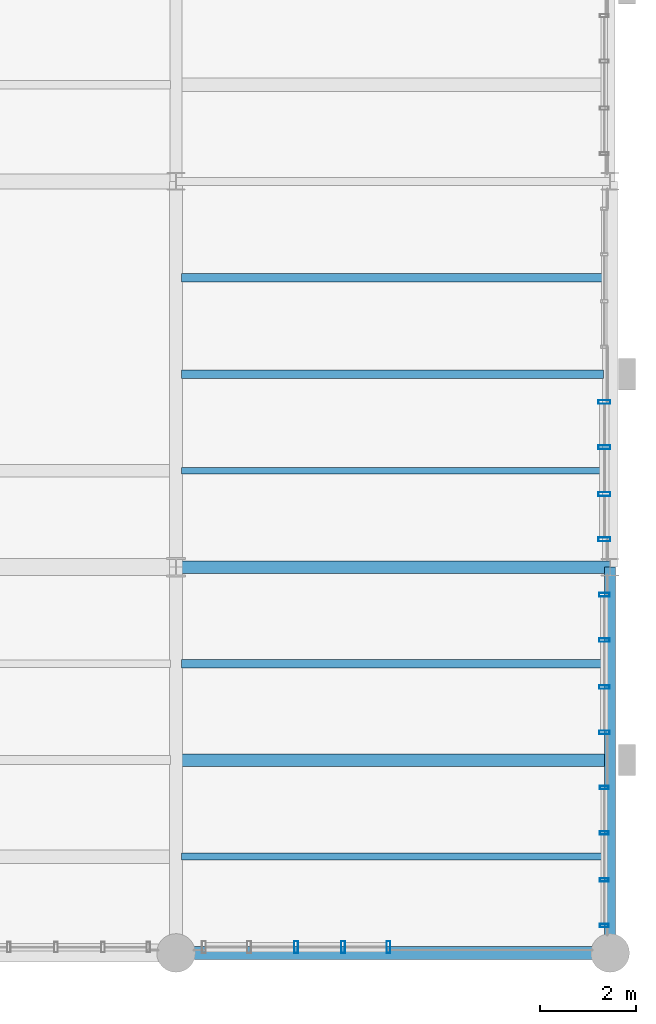
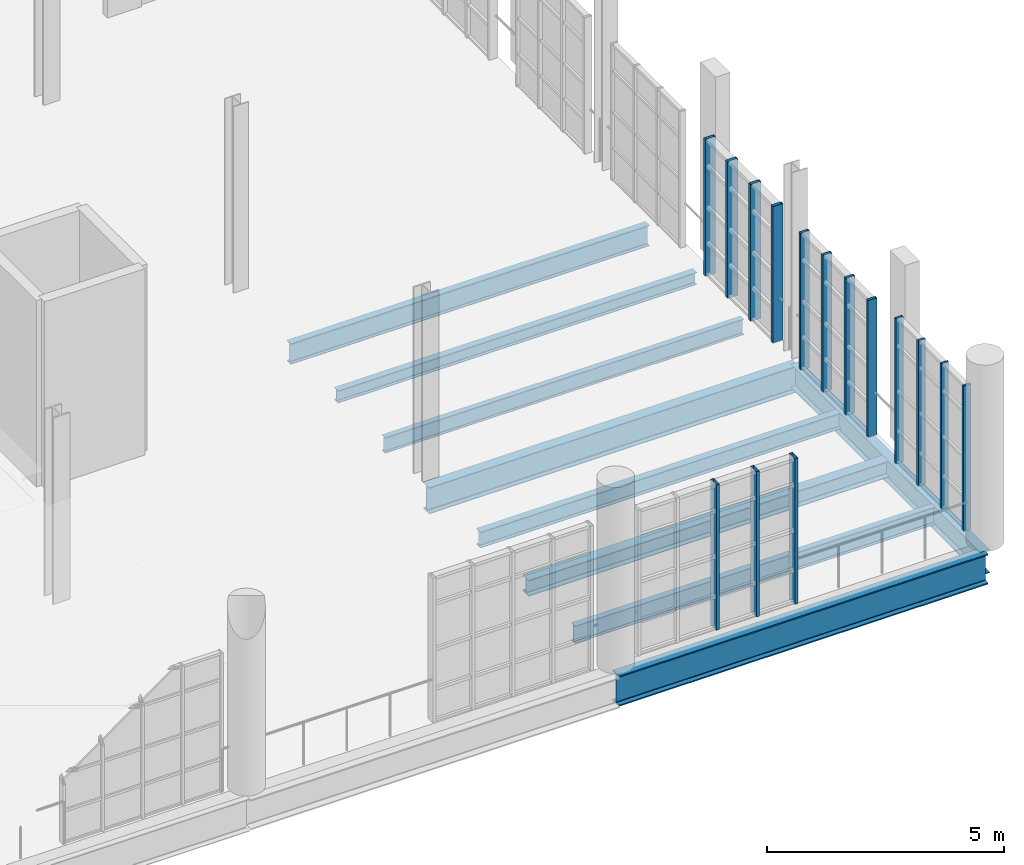
# One storey, part 55 of 122: 15 members, 9 beams, 4 elements without a shape of their own.
"""IFC4 building model written with IfcOpenShell, lengths in metres."""

from ifc_helpers import new_model, si_unit, direction, frame, origin, origin_2d, place, context, subcontext, project, spatial, hollow_rectangle, i_section, extrude, material, layer, layer_set, material_profile, profile_set, type_object, element, aggregate, save


model = new_model("IFC4")

# Units and contexts
model_context = context("Model", 3, precision=1e-05, world=origin(), true_north=direction((0.0, 1.0)))
body_context = subcontext(model_context, "Body", "Model", "MODEL_VIEW")
ifc_project = project(units=[si_unit("LENGTHUNIT", "METRE"), si_unit("AREAUNIT", "SQUARE_METRE"), si_unit("VOLUMEUNIT", "CUBIC_METRE"), si_unit("PLANEANGLEUNIT", "RADIAN"), si_unit("MASSUNIT", "GRAM", prefix="KILO"), si_unit("THERMODYNAMICTEMPERATUREUNIT", "KELVIN"), si_unit("POWERUNIT", "WATT")], contexts=[model_context])

# Site, building, storey
site_placement = place(None, origin())
site = spatial("IfcSite", under=ifc_project, at=site_placement, CompositionType="ELEMENT")
building_placement = place(site_placement, origin())
building = spatial("IfcBuilding", under=site, at=building_placement, Name="Zelmaris Science Centre", CompositionType="ELEMENT")
storey_placement = place(building_placement, frame((0.0, 0.0, 10.800048828125)))
storey = spatial("IfcBuildingStorey", under=building, at=storey_placement, Name="L02", CompositionType="ELEMENT", Elevation=10.800048828125)

# Curtain wall, members
ifc_material_1 = material(Name="Anodised architectural aluminium 6063-T6", Category="aluminium")
ifc_layer_1 = layer(ifc_material_1, 0.2099609375, Name="Anodised architectural aluminium 6063-T6")
ifc_layer_set_1 = layer_set([ifc_layer_1], Name="Anodised architectural aluminium 6063-T6")
curtain_wall_type_1 = type_object("IfcCurtainWallType", Name="Curtain Wall CW-03", PredefinedType="USERDEFINED", material=ifc_layer_set_1)
curtain_wall_1_placement = place(storey_placement, origin())
curtain_wall_1 = element("IfcCurtainWall", 1, at=curtain_wall_1_placement, inside=storey, type_object=curtain_wall_type_1, Name="L02 Unitised curtain wall 235", ObjectType="GLAZED CURTAIN WALL", PredefinedType="USERDEFINED")
ifc_material_profile_1 = material_profile(ifc_material_1, hollow_rectangle(XDim=0.06494140625, YDim=0.179931640625, WallThickness=0.00390625, at=origin_2d()), Name="ALU-MUL-65X180")
ifc_profile_set_1 = profile_set([ifc_material_profile_1], Name="Anodised architectural aluminium 6063-T6")
member_type_1 = type_object("IfcMemberType", Name="ALU-MUL-65X180", PredefinedType="MULLION", material=ifc_profile_set_1)
member_1_placement = place(storey_placement, frame((143.8798828125, 11.431396484375, -0.01513671875), z_axis=(0.0, 0.0, 1.0), x_axis=(0.0, -1.0, 0.0)))
member_1 = element("IfcMember", 2, at=member_1_placement, type_object=member_type_1, Name="CW-03 mullion 1", PredefinedType="MULLION", context=body_context, shape_type="SweptSolid", body=[
    extrude(hollow_rectangle(XDim=0.06494140625, YDim=0.179931640625, WallThickness=0.00390625, at=origin_2d()), origin(), (0.0, 0.0, 1.0), 3.739990234375),
])
member_2_placement = place(storey_placement, frame((143.8798828125, 10.48681640625, -0.01513671875), z_axis=(0.0, 0.0, 1.0), x_axis=(0.0, -1.0, 0.0)))
member_2 = element("IfcMember", 3, at=member_2_placement, type_object=member_type_1, Name="CW-03 mullion 2", PredefinedType="MULLION", context=body_context, shape_type="SweptSolid", body=[
    extrude(hollow_rectangle(XDim=0.06494140625, YDim=0.179931640625, WallThickness=0.00390625, at=origin_2d()), origin(), (0.0, 0.0, 1.0), 3.739990234375),
])
member_3_placement = place(storey_placement, frame((143.8798828125, 9.513427734375, -0.01513671875), z_axis=(0.0, 0.0, 1.0), x_axis=(0.0, -1.0, 0.0)))
member_3 = element("IfcMember", 4, at=member_3_placement, type_object=member_type_1, Name="CW-03 mullion 3", PredefinedType="MULLION", context=body_context, shape_type="SweptSolid", body=[
    extrude(hollow_rectangle(XDim=0.06494140625, YDim=0.179931640625, WallThickness=0.00390625, at=origin_2d()), origin(), (0.0, 0.0, 1.0), 3.739990234375),
])
member_4_placement = place(storey_placement, frame((143.8798828125, 8.568603515625, -0.01513671875), z_axis=(0.0, 0.0, 1.0), x_axis=(0.0, -1.0, 0.0)))
member_4 = element("IfcMember", 5, at=member_4_placement, type_object=member_type_1, Name="CW-03 mullion 4", PredefinedType="MULLION", context=body_context, shape_type="SweptSolid", body=[
    extrude(hollow_rectangle(XDim=0.06494140625, YDim=0.179931640625, WallThickness=0.00390625, at=origin_2d()), origin(), (0.0, 0.0, 1.0), 3.739990234375),
])
aggregate(curtain_wall_1, [member_1, member_2, member_3, member_4])

ifc_layer_2 = layer(ifc_material_1, 0.199951171875, Name="Anodised architectural aluminium 6063-T6")
ifc_layer_set_2 = layer_set([ifc_layer_2], Name="Anodised architectural aluminium 6063-T6")
curtain_wall_type_2 = type_object("IfcCurtainWallType", Name="Curtain Wall CW-02", PredefinedType="USERDEFINED", material=ifc_layer_set_2)
curtain_wall_2_placement = place(storey_placement, origin())
curtain_wall_2 = element("IfcCurtainWall", 6, at=curtain_wall_2_placement, inside=storey, type_object=curtain_wall_type_2, Name="L02 Unitised curtain wall 234", ObjectType="GLAZED CURTAIN WALL", PredefinedType="USERDEFINED")
ifc_material_profile_2 = material_profile(ifc_material_1, hollow_rectangle(XDim=0.074951171875, YDim=0.219970703125, WallThickness=0.0048828125, at=origin_2d()), Name="ALU-MUL-75X220")
ifc_profile_set_2 = profile_set([ifc_material_profile_2], Name="Anodised architectural aluminium 6063-T6")
member_type_2 = type_object("IfcMemberType", Name="ALU-MUL-75X220", PredefinedType="MULLION", material=ifc_profile_set_2)
member_5_placement = place(storey_placement, frame((143.8798828125, 15.426513671875, -0.01513671875), z_axis=(0.0, 0.0, 1.0), x_axis=(0.0, -1.0, 0.0)))
member_5 = element("IfcMember", 7, at=member_5_placement, type_object=member_type_2, Name="CW-02 mullion 1", PredefinedType="MULLION", context=body_context, shape_type="SweptSolid", body=[
    extrude(hollow_rectangle(XDim=0.074951171875, YDim=0.219970703125, WallThickness=0.0048828125, at=origin_2d()), origin(), (0.0, 0.0, 1.0), 3.529052734375),
])
member_6_placement = place(storey_placement, frame((143.8798828125, 14.486572265625, -0.01513671875), z_axis=(0.0, 0.0, 1.0), x_axis=(0.0, -1.0, 0.0)))
member_6 = element("IfcMember", 8, at=member_6_placement, type_object=member_type_2, Name="CW-02 mullion 2", PredefinedType="MULLION", context=body_context, shape_type="SweptSolid", body=[
    extrude(hollow_rectangle(XDim=0.074951171875, YDim=0.219970703125, WallThickness=0.0048828125, at=origin_2d()), origin(), (0.0, 0.0, 1.0), 3.529052734375),
])
member_7_placement = place(storey_placement, frame((143.8798828125, 13.513427734375, -0.01513671875), z_axis=(0.0, 0.0, 1.0), x_axis=(0.0, -1.0, 0.0)))
member_7 = element("IfcMember", 9, at=member_7_placement, type_object=member_type_2, Name="CW-02 mullion 3", PredefinedType="MULLION", context=body_context, shape_type="SweptSolid", body=[
    extrude(hollow_rectangle(XDim=0.074951171875, YDim=0.219970703125, WallThickness=0.0048828125, at=origin_2d()), origin(), (0.0, 0.0, 1.0), 3.529052734375),
])
member_8_placement = place(storey_placement, frame((143.8798828125, 12.573486328125, -0.01513671875), z_axis=(0.0, 0.0, 1.0), x_axis=(0.0, -1.0, 0.0)))
member_8 = element("IfcMember", 10, at=member_8_placement, type_object=member_type_2, Name="CW-02 mullion 4", PredefinedType="MULLION", context=body_context, shape_type="SweptSolid", body=[
    extrude(hollow_rectangle(XDim=0.074951171875, YDim=0.219970703125, WallThickness=0.0048828125, at=origin_2d()), origin(), (0.0, 0.0, 1.0), 3.529052734375),
])
aggregate(curtain_wall_2, [member_5, member_6, member_7, member_8])

ifc_layer_3 = layer(ifc_material_1, 0.18994140625, Name="Anodised architectural aluminium 6063-T6")
ifc_layer_set_3 = layer_set([ifc_layer_3], Name="Anodised architectural aluminium 6063-T6")
curtain_wall_type_3 = type_object("IfcCurtainWallType", Name="Curtain Wall CW-01", PredefinedType="USERDEFINED", material=ifc_layer_set_3)
curtain_wall_3_placement = place(storey_placement, origin())
curtain_wall_3 = element("IfcCurtainWall", 11, at=curtain_wall_3_placement, inside=storey, type_object=curtain_wall_type_3, Name="L02 Unitised curtain wall 233", ObjectType="GLAZED CURTAIN WALL", PredefinedType="USERDEFINED")
ifc_material_profile_3 = material_profile(ifc_material_1, hollow_rectangle(XDim=0.080078125, YDim=0.25, WallThickness=0.0048828125, at=origin_2d()), Name="ALU-MUL-80X250")
ifc_profile_set_3 = profile_set([ifc_material_profile_3], Name="Anodised architectural aluminium 6063-T6")
member_type_3 = type_object("IfcMemberType", Name="ALU-MUL-80X250", PredefinedType="MULLION", material=ifc_profile_set_3)
member_9_placement = place(storey_placement, frame((143.8798828125, 19.424072265625, -0.01513671875), z_axis=(0.0, 0.0, 1.0), x_axis=(0.0, -1.0, 0.0)))
member_9 = element("IfcMember", 12, at=member_9_placement, type_object=member_type_3, Name="CW-01 mullion 1", PredefinedType="MULLION", context=body_context, shape_type="SweptSolid", body=[
    extrude(hollow_rectangle(XDim=0.080078125, YDim=0.25, WallThickness=0.0048828125, at=origin_2d()), origin(), (0.0, 0.0, 1.0), 3.529052734375),
])
member_10_placement = place(storey_placement, frame((143.8798828125, 18.486572265625, -0.01513671875), z_axis=(0.0, 0.0, 1.0), x_axis=(0.0, -1.0, 0.0)))
member_10 = element("IfcMember", 13, at=member_10_placement, type_object=member_type_3, Name="CW-01 mullion 2", PredefinedType="MULLION", context=body_context, shape_type="SweptSolid", body=[
    extrude(hollow_rectangle(XDim=0.080078125, YDim=0.25, WallThickness=0.0048828125, at=origin_2d()), origin(), (0.0, 0.0, 1.0), 3.529052734375),
])
member_11_placement = place(storey_placement, frame((143.8798828125, 17.513427734375, -0.01513671875), z_axis=(0.0, 0.0, 1.0), x_axis=(0.0, -1.0, 0.0)))
member_11 = element("IfcMember", 14, at=member_11_placement, type_object=member_type_3, Name="CW-01 mullion 3", PredefinedType="MULLION", context=body_context, shape_type="SweptSolid", body=[
    extrude(hollow_rectangle(XDim=0.080078125, YDim=0.25, WallThickness=0.0048828125, at=origin_2d()), origin(), (0.0, 0.0, 1.0), 3.529052734375),
])
member_12_placement = place(storey_placement, frame((143.8798828125, 16.575927734375, -0.01513671875), z_axis=(0.0, 0.0, 1.0), x_axis=(0.0, -1.0, 0.0)))
member_12 = element("IfcMember", 15, at=member_12_placement, type_object=member_type_3, Name="CW-01 mullion 4", PredefinedType="MULLION", context=body_context, shape_type="SweptSolid", body=[
    extrude(hollow_rectangle(XDim=0.080078125, YDim=0.25, WallThickness=0.0048828125, at=origin_2d()), origin(), (0.0, 0.0, 1.0), 3.529052734375),
])
aggregate(curtain_wall_3, [member_9, member_10, member_11, member_12])

curtain_wall_4_placement = place(storey_placement, origin())
curtain_wall_4 = element("IfcCurtainWall", 16, at=curtain_wall_4_placement, inside=storey, type_object=curtain_wall_type_3, Name="L02 Unitised curtain wall 237", ObjectType="GLAZED CURTAIN WALL", PredefinedType="USERDEFINED")
member_13_placement = place(storey_placement, frame((139.404052734375, 8.1201171875, -0.01513671875), z_axis=(0.0, 0.0, 1.0), x_axis=(-1.0, 0.0, 0.0)))
member_13 = element("IfcMember", 17, at=member_13_placement, type_object=member_type_3, Name="CW-01 mullion 1", PredefinedType="MULLION", context=body_context, shape_type="SweptSolid", body=[
    extrude(hollow_rectangle(XDim=0.080078125, YDim=0.25, WallThickness=0.0048828125, at=origin_2d()), origin(), (0.0, 0.0, 1.0), 3.7431640625),
])
member_14_placement = place(storey_placement, frame((138.465087890625, 8.1201171875, -0.01513671875), z_axis=(0.0, 0.0, 1.0), x_axis=(-1.0, 0.0, 0.0)))
member_14 = element("IfcMember", 18, at=member_14_placement, type_object=member_type_3, Name="CW-01 mullion 2", PredefinedType="MULLION", context=body_context, shape_type="SweptSolid", body=[
    extrude(hollow_rectangle(XDim=0.080078125, YDim=0.25, WallThickness=0.0048828125, at=origin_2d()), origin(), (0.0, 0.0, 1.0), 3.7431640625),
])
member_15_placement = place(storey_placement, frame((137.489990234375, 8.1201171875, -0.01513671875), z_axis=(0.0, 0.0, 1.0), x_axis=(-1.0, 0.0, 0.0)))
member_15 = element("IfcMember", 19, at=member_15_placement, type_object=member_type_3, Name="CW-01 mullion 3", PredefinedType="MULLION", context=body_context, shape_type="SweptSolid", body=[
    extrude(hollow_rectangle(XDim=0.080078125, YDim=0.25, WallThickness=0.0048828125, at=origin_2d()), origin(), (0.0, 0.0, 1.0), 3.7431640625),
])
aggregate(curtain_wall_4, [member_13, member_14, member_15])

# Beams
ifc_material_2 = material(Name="Steel ASTM A992 Grade 50", Category="steel")
ifc_material_profile_4 = material_profile(ifc_material_2, i_section(OverallWidth=0.22900390625, OverallDepth=0.60205078125, WebThickness=0.010498046875, FlangeThickness=0.014892578125, FilletRadius=0.014892578125, at=origin_2d()), Name="W24X68")
ifc_profile_set_4 = profile_set([ifc_material_profile_4], Name="Steel ASTM A992 Grade 50")
beam_type_1 = type_object("IfcBeamType", Name="Beam G-17 W24X68", PredefinedType="BEAM", material=ifc_profile_set_4)
beam_1_placement = place(storey_placement, frame((144.0, 8.0, -0.56103515625), z_axis=(0.0, 1.0, 0.0), x_axis=(-1.0, 0.0, 0.0)))
element("IfcBeam", 20, at=beam_1_placement, inside=storey, type_object=beam_type_1, Name="L02 North-south girder 537", PredefinedType="BEAM", context=body_context, shape_type="SweptSolid", body=[
    extrude(i_section(OverallWidth=0.22900390625, OverallDepth=0.60205078125, WebThickness=0.010498046875, FlangeThickness=0.014892578125, FilletRadius=0.014892578125, at=origin_2d()), origin(), (0.0, 0.0, 1.0), 8.0),
])
ifc_material_profile_5 = material_profile(ifc_material_2, i_section(OverallWidth=0.26708984375, OverallDepth=0.780029296875, WebThickness=0.0166015625, FlangeThickness=0.030029296875, FilletRadius=0.01904296875, at=origin_2d()), Name="W30X148")
ifc_profile_set_5 = profile_set([ifc_material_profile_5], Name="Steel ASTM A992 Grade 50")
beam_type_2 = type_object("IfcBeamType", Name="Beam G-32 W30X148", PredefinedType="BEAM", material=ifc_profile_set_5)
beam_2_placement = place(storey_placement, frame((135.0, 8.0, -0.650146484375), z_axis=(1.0, 0.0, 0.0), x_axis=(0.0, 1.0, 0.0)))
element("IfcBeam", 21, at=beam_2_placement, inside=storey, type_object=beam_type_2, Name="L02 East-west girder 548", PredefinedType="BEAM", context=body_context, shape_type="SweptSolid", body=[
    extrude(i_section(OverallWidth=0.26708984375, OverallDepth=0.780029296875, WebThickness=0.0166015625, FlangeThickness=0.030029296875, FilletRadius=0.01904296875, at=origin_2d()), origin(), (0.0, 0.0, 1.0), 9.0),
])
ifc_material_profile_6 = material_profile(ifc_material_2, i_section(OverallWidth=0.25390625, OverallDepth=0.677978515625, WebThickness=0.01171875, FlangeThickness=0.016357421875, FilletRadius=0.01806640625, at=origin_2d()), Name="W27X84")
ifc_profile_set_6 = profile_set([ifc_material_profile_6], Name="Steel ASTM A992 Grade 50")
beam_type_3 = type_object("IfcBeamType", Name="Beam G-36 W27X84", PredefinedType="BEAM", material=ifc_profile_set_6)
beam_3_placement = place(storey_placement, frame((135.0, 16.0, -0.59912109375), z_axis=(1.0, 0.0, 0.0), x_axis=(0.0, 1.0, 0.0)))
element("IfcBeam", 22, at=beam_3_placement, inside=storey, type_object=beam_type_3, Name="L02 East-west girder 552", PredefinedType="BEAM", context=body_context, shape_type="SweptSolid", body=[
    extrude(i_section(OverallWidth=0.25390625, OverallDepth=0.677978515625, WebThickness=0.01171875, FlangeThickness=0.016357421875, FilletRadius=0.01806640625, at=origin_2d()), origin(), (0.0, 0.0, 1.0), 9.0),
])
ifc_material_profile_7 = material_profile(ifc_material_2, i_section(OverallWidth=0.16796875, OverallDepth=0.532958984375, WebThickness=0.01025390625, FlangeThickness=0.0166015625, FilletRadius=0.013916015625, at=origin_2d()), Name="W21X57")
ifc_profile_set_7 = profile_set([ifc_material_profile_7], Name="Steel ASTM A992 Grade 50")
beam_type_4 = type_object("IfcBeamType", Name="Beam J-01 W21X57", PredefinedType="JOIST", material=ifc_profile_set_7)
beam_4_placement = place(storey_placement, frame((135.118408203125, 22.0, -0.526611328125), z_axis=(1.0, 0.0, 0.0), x_axis=(0.0, 1.0, 0.0)))
element("IfcBeam", 23, at=beam_4_placement, inside=storey, type_object=beam_type_4, Name="L02 Composite floor joist 306", PredefinedType="JOIST", context=body_context, shape_type="SweptSolid", body=[
    extrude(i_section(OverallWidth=0.16796875, OverallDepth=0.532958984375, WebThickness=0.01025390625, FlangeThickness=0.0166015625, FilletRadius=0.013916015625, at=origin_2d()), origin(), (0.0, 0.0, 1.0), 8.740478515625),
])
ifc_material_profile_8 = material_profile(ifc_material_2, i_section(OverallWidth=0.152099609375, OverallDepth=0.455078125, WebThickness=0.008056640625, FlangeThickness=0.01318359375, FilletRadius=0.012939453125, at=origin_2d()), Name="W18X40")
ifc_profile_set_8 = profile_set([ifc_material_profile_8], Name="Steel ASTM A992 Grade 50")
beam_type_5 = type_object("IfcBeamType", Name="Beam J-05 W18X40", PredefinedType="JOIST", material=ifc_profile_set_8)
beam_5_placement = place(storey_placement, frame((135.118408203125, 10.0, -0.487548828125), z_axis=(1.0, 0.0, 0.0), x_axis=(0.0, 1.0, 0.0)))
element("IfcBeam", 24, at=beam_5_placement, inside=storey, type_object=beam_type_5, Name="L02 Composite floor joist 301", PredefinedType="JOIST", context=body_context, shape_type="SweptSolid", body=[
    extrude(i_section(OverallWidth=0.152099609375, OverallDepth=0.455078125, WebThickness=0.008056640625, FlangeThickness=0.01318359375, FilletRadius=0.012939453125, at=origin_2d()), origin(), (0.0, 0.0, 1.0), 8.781982421875),
])
ifc_material_profile_9 = material_profile(ifc_material_2, i_section(OverallWidth=0.260009765625, OverallDepth=0.4140625, WebThickness=0.010009765625, FlangeThickness=0.016845703125, FilletRadius=0.011962890625, at=origin_2d()), Name="W16X67")
ifc_profile_set_9 = profile_set([ifc_material_profile_9], Name="Steel ASTM A992 Grade 50")
beam_type_6 = type_object("IfcBeamType", Name="Beam J-06 W16X67", PredefinedType="JOIST", material=ifc_profile_set_9)
beam_6_placement = place(storey_placement, frame((135.118408203125, 12.0, -0.467041015625), z_axis=(1.0, 0.0, 0.0), x_axis=(0.0, 1.0, 0.0)))
element("IfcBeam", 25, at=beam_6_placement, inside=storey, type_object=beam_type_6, Name="L02 Composite floor joist 302", PredefinedType="JOIST", context=body_context, shape_type="SweptSolid", body=[
    extrude(i_section(OverallWidth=0.260009765625, OverallDepth=0.4140625, WebThickness=0.010009765625, FlangeThickness=0.016845703125, FilletRadius=0.011962890625, at=origin_2d()), origin(), (0.0, 0.0, 1.0), 8.781982421875),
])
ifc_material_profile_10 = material_profile(ifc_material_2, i_section(OverallWidth=0.177978515625, OverallDepth=0.408935546875, WebThickness=0.0087890625, FlangeThickness=0.014404296875, FilletRadius=0.011962890625, at=origin_2d()), Name="W16X45")
ifc_profile_set_10 = profile_set([ifc_material_profile_10], Name="Steel ASTM A992 Grade 50")
beam_type_7 = type_object("IfcBeamType", Name="Beam J-07 W16X45", PredefinedType="JOIST", material=ifc_profile_set_10)
beam_7_placement = place(storey_placement, frame((135.118408203125, 14.0, -0.464599609375), z_axis=(1.0, 0.0, 0.0), x_axis=(0.0, 1.0, 0.0)))
element("IfcBeam", 26, at=beam_7_placement, inside=storey, type_object=beam_type_7, Name="L02 Composite floor joist 303", PredefinedType="JOIST", context=body_context, shape_type="SweptSolid", body=[
    extrude(i_section(OverallWidth=0.177978515625, OverallDepth=0.408935546875, WebThickness=0.0087890625, FlangeThickness=0.014404296875, FilletRadius=0.011962890625, at=origin_2d()), origin(), (0.0, 0.0, 1.0), 8.781982421875),
])
ifc_material_profile_11 = material_profile(ifc_material_2, i_section(OverallWidth=0.139892578125, OverallDepth=0.404052734375, WebThickness=0.007080078125, FlangeThickness=0.01123046875, FilletRadius=0.011962890625, at=origin_2d()), Name="W16X31")
ifc_profile_set_11 = profile_set([ifc_material_profile_11], Name="Steel ASTM A992 Grade 50")
beam_type_8 = type_object("IfcBeamType", Name="Beam J-08 W16X31", PredefinedType="JOIST", material=ifc_profile_set_11)
beam_8_placement = place(storey_placement, frame((135.118408203125, 18.0, -0.462158203125), z_axis=(1.0, 0.0, 0.0), x_axis=(0.0, 1.0, 0.0)))
element("IfcBeam", 27, at=beam_8_placement, inside=storey, type_object=beam_type_8, Name="L02 Composite floor joist 304", PredefinedType="JOIST", context=body_context, shape_type="SweptSolid", body=[
    extrude(i_section(OverallWidth=0.139892578125, OverallDepth=0.404052734375, WebThickness=0.007080078125, FlangeThickness=0.01123046875, FilletRadius=0.011962890625, at=origin_2d()), origin(), (0.0, 0.0, 1.0), 8.740478515625),
])
ifc_material_profile_12 = material_profile(ifc_material_2, i_section(OverallWidth=0.1669921875, OverallDepth=0.318115234375, WebThickness=0.007568359375, FlangeThickness=0.01318359375, FilletRadius=0.011962890625, at=origin_2d()), Name="W12X35")
ifc_profile_set_12 = profile_set([ifc_material_profile_12], Name="Steel ASTM A992 Grade 50")
beam_type_9 = type_object("IfcBeamType", Name="Beam J-09 W12X35", PredefinedType="JOIST", material=ifc_profile_set_12)
beam_9_placement = place(storey_placement, frame((135.118408203125, 20.0, -0.4189453125), z_axis=(1.0, 0.0, 0.0), x_axis=(0.0, 1.0, 0.0)))
element("IfcBeam", 28, at=beam_9_placement, inside=storey, type_object=beam_type_9, Name="L02 Composite floor joist 305", PredefinedType="JOIST", context=body_context, shape_type="SweptSolid", body=[
    extrude(i_section(OverallWidth=0.1669921875, OverallDepth=0.318115234375, WebThickness=0.007568359375, FlangeThickness=0.01318359375, FilletRadius=0.011962890625, at=origin_2d()), origin(), (0.0, 0.0, 1.0), 8.740478515625),
])

save(model, "model.ifc")
